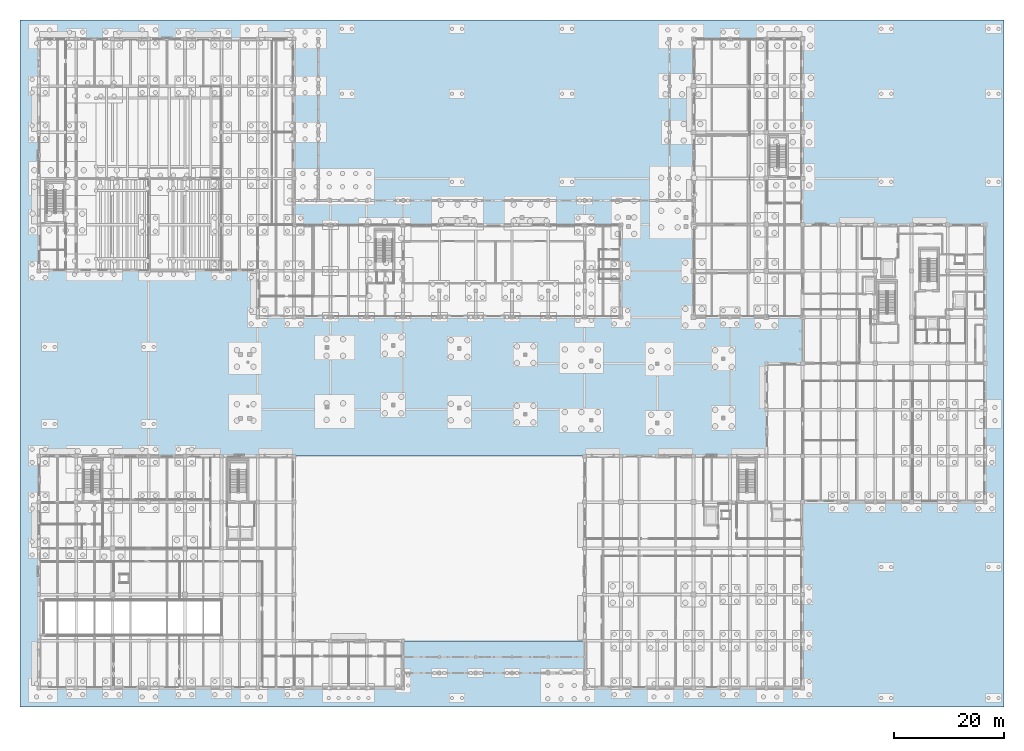
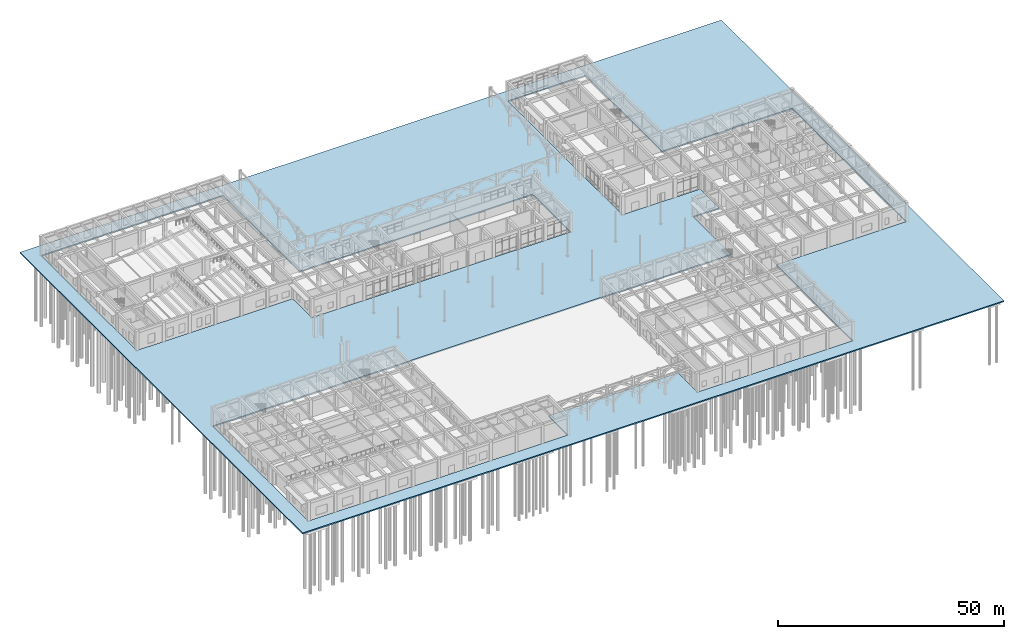
# One storey, part 41 of 82: 1 slab.
"""IFC4 building model written with IfcOpenShell, lengths in metres."""

from ifc_helpers import new_model, si_unit, direction, frame, origin, place, context, subcontext, project, spatial, polyline, outline, extrude, material, layer, layer_set, type_object, element, save


model = new_model("IFC4")

# Units and contexts
model_context = context("Model", 3, precision=1e-05, world=origin(), true_north=direction((0.0, 1.0)))
body_context = subcontext(model_context, "Body", "Model", "MODEL_VIEW")
ifc_project = project(units=[si_unit("LENGTHUNIT", "METRE"), si_unit("AREAUNIT", "SQUARE_METRE"), si_unit("VOLUMEUNIT", "CUBIC_METRE"), si_unit("PLANEANGLEUNIT", "RADIAN"), si_unit("MASSUNIT", "GRAM", prefix="KILO")], contexts=[model_context])

# Site, building, storey
site_placement = place(None, origin())
site = spatial("IfcSite", under=ifc_project, at=site_placement, CompositionType="ELEMENT")
building_placement = place(site_placement, origin())
building = spatial("IfcBuilding", under=site, at=building_placement, Name="Kolvaren Faculty of Natural Sciences", CompositionType="ELEMENT")
storey_placement = place(building_placement, origin())
storey = spatial("IfcBuildingStorey", under=building, at=storey_placement, Name="L00", CompositionType="ELEMENT", Elevation=0.0)

# Slab
ifc_material = material(Name="Concrete C35/45", Category="concrete")
ifc_layer = layer(ifc_material, 0.320068359375)
ifc_layer_set = layer_set([ifc_layer], Name="Concrete C35/45")
slab_type = type_object("IfcSlabType", Name="CampusPlazaPavingSlab_320", PredefinedType="USERDEFINED", material=ifc_layer_set)
slab_placement = place(storey_placement, frame((0.0, 0.0, -0.320068359375)))
element("IfcSlab", 1, at=slab_placement, inside=storey, type_object=slab_type, Name="L00 walkable covered street, North Square and Chahar Bagh stone paving slab 1", ObjectType="PAVING", PredefinedType="USERDEFINED", context=body_context, shape_type="SweptSolid", body=[
    extrude(outline(polyline([(175.39990234375, 121.39990234375), (175.39990234375, -3.39990234375), (-3.39990234375, -3.39990234375), (-3.39990234375, 121.39990234375), (175.39990234375, 121.39990234375)]), holes=[polyline([(99.199951171875, 8.60009765625), (99.199951171875, 0.0), (138.800048828125, 0.0), (138.800048828125, 33.800048828125), (172.0, 33.800048828125), (172.0, 59.0), (172.0, 84.199951171875), (138.800048828125, 84.199951171875), (138.800048828125, 118.0), (119.0, 118.0), (119.0, 84.199951171875), (119.0, 67.39990234375), (138.800048828125, 67.39990234375), (138.800048828125, 59.0), (132.199951171875, 59.0), (132.199951171875, 42.199951171875), (99.199951171875, 42.199951171875), (46.39990234375, 42.199951171875), (0.0, 42.199951171875), (0.0, 0.0), (46.39990234375, 0.0), (66.199951171875, 0.0), (66.199951171875, 8.60009765625), (99.199951171875, 8.60009765625)]), polyline([(46.39990234375, 84.199951171875), (46.39990234375, 118.0), (39.800048828125, 118.0), (0.0, 118.0), (0.0, 75.800048828125), (39.800048828125, 75.800048828125), (39.800048828125, 67.39990234375), (59.60009765625, 67.39990234375), (105.800048828125, 67.39990234375), (105.800048828125, 84.199951171875), (59.60009765625, 84.199951171875), (46.39990234375, 84.199951171875)])]), origin(), (0.0, 0.0, 1.0), 0.320068359375),
])

save(model, "model.ifc")
